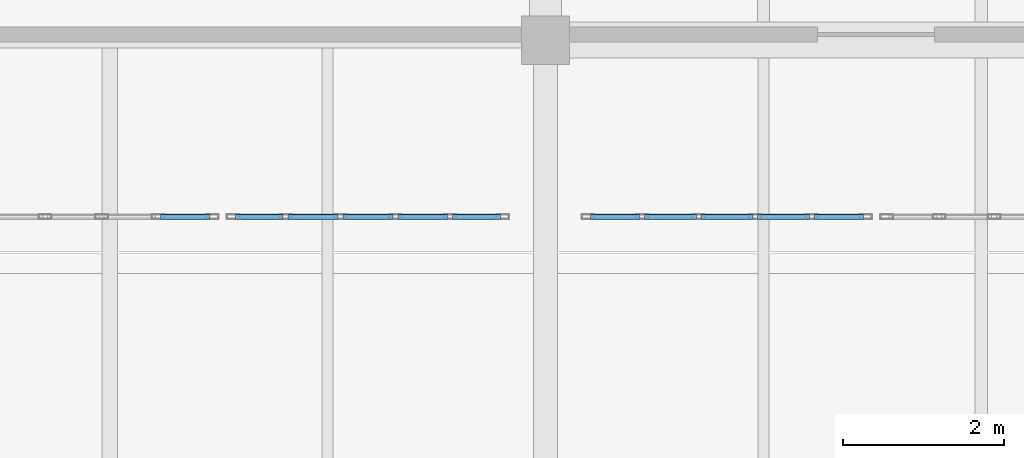
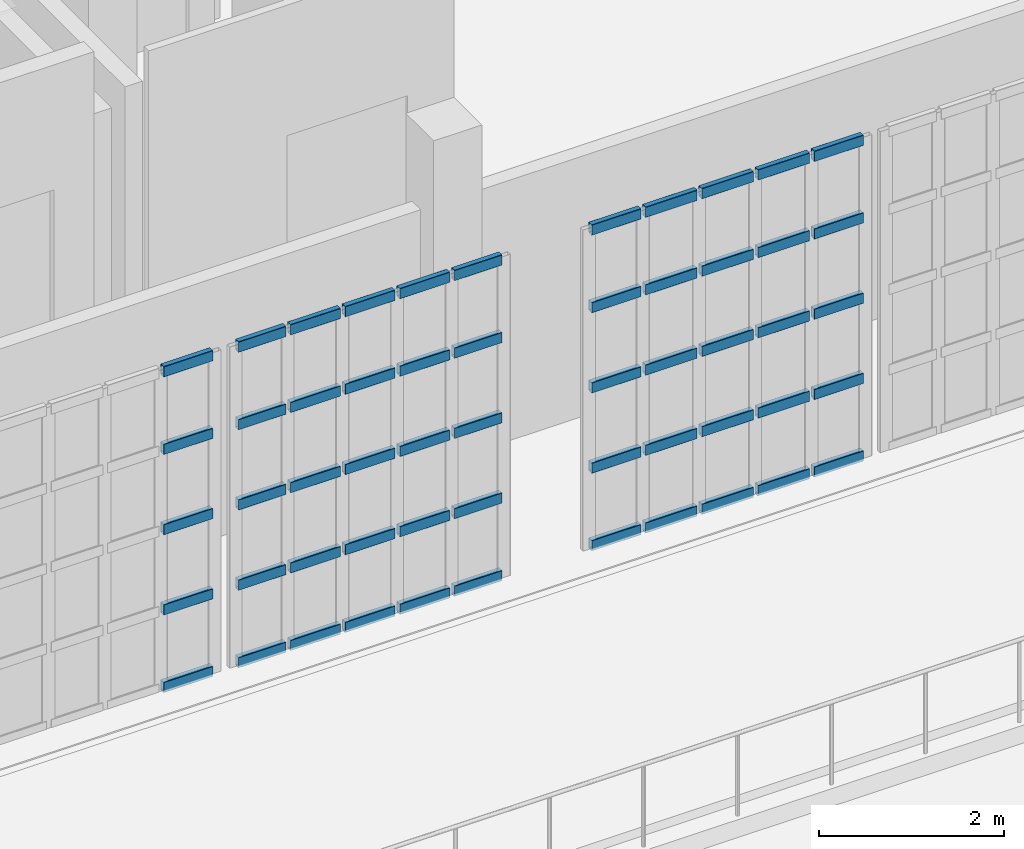
# One storey, part 31 of 56: 55 members, 3 elements without a shape of their own.
"""IFC4 building model written with IfcOpenShell, lengths in metres."""

from ifc_helpers import new_model, si_unit, direction, frame, origin, origin_2d, place, context, subcontext, project, spatial, hollow_rectangle, extrude, material, material_profile, profile_set, type_object, element, aggregate, save


model = new_model("IFC4")

# Units and contexts
model_context = context("Model", 3, precision=1e-05, world=origin(), true_north=direction((0.0, 1.0)))
body_context = subcontext(model_context, "Body", "Model", "MODEL_VIEW")
ifc_project = project(units=[si_unit("LENGTHUNIT", "METRE"), si_unit("AREAUNIT", "SQUARE_METRE"), si_unit("VOLUMEUNIT", "CUBIC_METRE"), si_unit("PLANEANGLEUNIT", "RADIAN"), si_unit("MASSUNIT", "GRAM", prefix="KILO")], contexts=[model_context])

# Site, building, storey
site_placement = place(None, origin())
site = spatial("IfcSite", under=ifc_project, at=site_placement, CompositionType="ELEMENT")
building_placement = place(site_placement, origin())
building = spatial("IfcBuilding", under=site, at=building_placement, Name="Kaelora Sail Theatre", CompositionType="ELEMENT")
storey_placement = place(building_placement, frame((0.0, 0.0, 14.699951171875)))
storey = spatial("IfcBuildingStorey", under=building, at=storey_placement, Name="L03", CompositionType="ELEMENT", Elevation=14.699951171875)

# Curtain wall, members
ifc_material_1 = material(Name="Anodised aluminium and solar-control low-E IGU", Category="aluminium")
curtain_wall_type = type_object("IfcCurtainWallType", Name="ARC-CW-CW-NWG", PredefinedType="NOTDEFINED", material=ifc_material_1)
curtain_wall_1_placement = place(storey_placement, origin())
curtain_wall_1 = element("IfcCurtainWall", 1, at=curtain_wall_1_placement, inside=storey, type_object=curtain_wall_type, Name="Glazed Foyer/Conservatory Curtain Wall NW4-S-L03-02", PredefinedType="NOTDEFINED")
ifc_material_2 = material(Name="Anodised aluminium 6063-T6", Category="aluminium")
ifc_material_profile = material_profile(ifc_material_2, hollow_rectangle(XDim=0.070068359375, YDim=0.139892578125, WallThickness=0.00390625, InnerFilletRadius=0.00390625, OuterFilletRadius=0.008056640625, at=origin_2d()), Name="ALU-TRAN 70x140x4")
ifc_profile_set = profile_set([ifc_material_profile], Name="Anodised aluminium 6063-T6")
member_type = type_object("IfcMemberType", Name="ARC-MEM-TR-140", PredefinedType="USERDEFINED", material=ifc_profile_set)
member_1_placement = place(storey_placement, frame((110.1298828125, 88.590087890625, 0.03515625), z_axis=(1.0, 0.0, 0.0), x_axis=(0.0, 1.0, 0.0)))
member_1 = element("IfcMember", 2, at=member_1_placement, type_object=member_type, Name="CW-NWG transom 5.1", ObjectType="TRANSOM", PredefinedType="USERDEFINED", context=body_context, shape_type="SweptSolid", body=[
    extrude(hollow_rectangle(XDim=0.070068359375, YDim=0.139892578125, WallThickness=0.00390625, InnerFilletRadius=0.00390625, OuterFilletRadius=0.008056640625, at=origin_2d()), origin(), (0.0, 0.0, 1.0), 0.610107421875),
])
member_2_placement = place(storey_placement, frame((110.1298828125, 88.590087890625, 1.05615234375), z_axis=(1.0, 0.0, 0.0), x_axis=(0.0, 1.0, 0.0)))
member_2 = element("IfcMember", 3, at=member_2_placement, type_object=member_type, Name="CW-NWG transom 5.2", ObjectType="TRANSOM", PredefinedType="USERDEFINED", context=body_context, shape_type="SweptSolid", body=[
    extrude(hollow_rectangle(XDim=0.070068359375, YDim=0.139892578125, WallThickness=0.00390625, InnerFilletRadius=0.00390625, OuterFilletRadius=0.008056640625, at=origin_2d()), origin(), (0.0, 0.0, 1.0), 0.610107421875),
])
member_3_placement = place(storey_placement, frame((110.1298828125, 88.590087890625, 2.112548828125), z_axis=(1.0, 0.0, 0.0), x_axis=(0.0, 1.0, 0.0)))
member_3 = element("IfcMember", 4, at=member_3_placement, type_object=member_type, Name="CW-NWG transom 5.3", ObjectType="TRANSOM", PredefinedType="USERDEFINED", context=body_context, shape_type="SweptSolid", body=[
    extrude(hollow_rectangle(XDim=0.070068359375, YDim=0.139892578125, WallThickness=0.00390625, InnerFilletRadius=0.00390625, OuterFilletRadius=0.008056640625, at=origin_2d()), origin(), (0.0, 0.0, 1.0), 0.610107421875),
])
member_4_placement = place(storey_placement, frame((110.1298828125, 88.590087890625, 3.168701171875), z_axis=(1.0, 0.0, 0.0), x_axis=(0.0, 1.0, 0.0)))
member_4 = element("IfcMember", 5, at=member_4_placement, type_object=member_type, Name="CW-NWG transom 5.4", ObjectType="TRANSOM", PredefinedType="USERDEFINED", context=body_context, shape_type="SweptSolid", body=[
    extrude(hollow_rectangle(XDim=0.070068359375, YDim=0.139892578125, WallThickness=0.00390625, InnerFilletRadius=0.00390625, OuterFilletRadius=0.008056640625, at=origin_2d()), origin(), (0.0, 0.0, 1.0), 0.610107421875),
])
member_5_placement = place(storey_placement, frame((110.1298828125, 88.590087890625, 4.18994140625), z_axis=(1.0, 0.0, 0.0), x_axis=(0.0, 1.0, 0.0)))
member_5 = element("IfcMember", 6, at=member_5_placement, type_object=member_type, Name="CW-NWG transom 5.5", ObjectType="TRANSOM", PredefinedType="USERDEFINED", context=body_context, shape_type="SweptSolid", body=[
    extrude(hollow_rectangle(XDim=0.070068359375, YDim=0.139892578125, WallThickness=0.00390625, InnerFilletRadius=0.00390625, OuterFilletRadius=0.008056640625, at=origin_2d()), origin(), (0.0, 0.0, 1.0), 0.610107421875),
])
aggregate(curtain_wall_1, [member_1, member_2, member_3, member_4, member_5])

curtain_wall_2_placement = place(storey_placement, origin())
curtain_wall_2 = element("IfcCurtainWall", 7, at=curtain_wall_2_placement, inside=storey, type_object=curtain_wall_type, Name="Glazed Foyer/Conservatory Curtain Wall NW4-S-L03-03", PredefinedType="NOTDEFINED")
member_6_placement = place(storey_placement, frame((111.06005859375, 88.590087890625, 0.03515625), z_axis=(1.0, 0.0, 0.0), x_axis=(0.0, 1.0, 0.0)))
member_6 = element("IfcMember", 8, at=member_6_placement, type_object=member_type, Name="CW-NWG transom 1.1", ObjectType="TRANSOM", PredefinedType="USERDEFINED", context=body_context, shape_type="SweptSolid", body=[
    extrude(hollow_rectangle(XDim=0.070068359375, YDim=0.139892578125, WallThickness=0.00390625, InnerFilletRadius=0.00390625, OuterFilletRadius=0.008056640625, at=origin_2d()), origin(), (0.0, 0.0, 1.0), 0.58984375),
])
member_7_placement = place(storey_placement, frame((111.06005859375, 88.590087890625, 1.05615234375), z_axis=(1.0, 0.0, 0.0), x_axis=(0.0, 1.0, 0.0)))
member_7 = element("IfcMember", 9, at=member_7_placement, type_object=member_type, Name="CW-NWG transom 1.2", ObjectType="TRANSOM", PredefinedType="USERDEFINED", context=body_context, shape_type="SweptSolid", body=[
    extrude(hollow_rectangle(XDim=0.070068359375, YDim=0.139892578125, WallThickness=0.00390625, InnerFilletRadius=0.00390625, OuterFilletRadius=0.008056640625, at=origin_2d()), origin(), (0.0, 0.0, 1.0), 0.58984375),
])
member_8_placement = place(storey_placement, frame((111.06005859375, 88.590087890625, 2.112548828125), z_axis=(1.0, 0.0, 0.0), x_axis=(0.0, 1.0, 0.0)))
member_8 = element("IfcMember", 10, at=member_8_placement, type_object=member_type, Name="CW-NWG transom 1.3", ObjectType="TRANSOM", PredefinedType="USERDEFINED", context=body_context, shape_type="SweptSolid", body=[
    extrude(hollow_rectangle(XDim=0.070068359375, YDim=0.139892578125, WallThickness=0.00390625, InnerFilletRadius=0.00390625, OuterFilletRadius=0.008056640625, at=origin_2d()), origin(), (0.0, 0.0, 1.0), 0.58984375),
])
member_9_placement = place(storey_placement, frame((111.06005859375, 88.590087890625, 3.168701171875), z_axis=(1.0, 0.0, 0.0), x_axis=(0.0, 1.0, 0.0)))
member_9 = element("IfcMember", 11, at=member_9_placement, type_object=member_type, Name="CW-NWG transom 1.4", ObjectType="TRANSOM", PredefinedType="USERDEFINED", context=body_context, shape_type="SweptSolid", body=[
    extrude(hollow_rectangle(XDim=0.070068359375, YDim=0.139892578125, WallThickness=0.00390625, InnerFilletRadius=0.00390625, OuterFilletRadius=0.008056640625, at=origin_2d()), origin(), (0.0, 0.0, 1.0), 0.58984375),
])
member_10_placement = place(storey_placement, frame((111.06005859375, 88.590087890625, 4.18994140625), z_axis=(1.0, 0.0, 0.0), x_axis=(0.0, 1.0, 0.0)))
member_10 = element("IfcMember", 12, at=member_10_placement, type_object=member_type, Name="CW-NWG transom 1.5", ObjectType="TRANSOM", PredefinedType="USERDEFINED", context=body_context, shape_type="SweptSolid", body=[
    extrude(hollow_rectangle(XDim=0.070068359375, YDim=0.139892578125, WallThickness=0.00390625, InnerFilletRadius=0.00390625, OuterFilletRadius=0.008056640625, at=origin_2d()), origin(), (0.0, 0.0, 1.0), 0.58984375),
])
member_11_placement = place(storey_placement, frame((111.7099609375, 88.590087890625, 0.03515625), z_axis=(1.0, 0.0, 0.0), x_axis=(0.0, 1.0, 0.0)))
member_11 = element("IfcMember", 13, at=member_11_placement, type_object=member_type, Name="CW-NWG transom 2.1", ObjectType="TRANSOM", PredefinedType="USERDEFINED", context=body_context, shape_type="SweptSolid", body=[
    extrude(hollow_rectangle(XDim=0.070068359375, YDim=0.139892578125, WallThickness=0.00390625, InnerFilletRadius=0.00390625, OuterFilletRadius=0.008056640625, at=origin_2d()), origin(), (0.0, 0.0, 1.0), 0.6201171875),
])
member_12_placement = place(storey_placement, frame((111.7099609375, 88.590087890625, 1.05615234375), z_axis=(1.0, 0.0, 0.0), x_axis=(0.0, 1.0, 0.0)))
member_12 = element("IfcMember", 14, at=member_12_placement, type_object=member_type, Name="CW-NWG transom 2.2", ObjectType="TRANSOM", PredefinedType="USERDEFINED", context=body_context, shape_type="SweptSolid", body=[
    extrude(hollow_rectangle(XDim=0.070068359375, YDim=0.139892578125, WallThickness=0.00390625, InnerFilletRadius=0.00390625, OuterFilletRadius=0.008056640625, at=origin_2d()), origin(), (0.0, 0.0, 1.0), 0.6201171875),
])
member_13_placement = place(storey_placement, frame((111.7099609375, 88.590087890625, 2.112548828125), z_axis=(1.0, 0.0, 0.0), x_axis=(0.0, 1.0, 0.0)))
member_13 = element("IfcMember", 15, at=member_13_placement, type_object=member_type, Name="CW-NWG transom 2.3", ObjectType="TRANSOM", PredefinedType="USERDEFINED", context=body_context, shape_type="SweptSolid", body=[
    extrude(hollow_rectangle(XDim=0.070068359375, YDim=0.139892578125, WallThickness=0.00390625, InnerFilletRadius=0.00390625, OuterFilletRadius=0.008056640625, at=origin_2d()), origin(), (0.0, 0.0, 1.0), 0.6201171875),
])
member_14_placement = place(storey_placement, frame((111.7099609375, 88.590087890625, 3.168701171875), z_axis=(1.0, 0.0, 0.0), x_axis=(0.0, 1.0, 0.0)))
member_14 = element("IfcMember", 16, at=member_14_placement, type_object=member_type, Name="CW-NWG transom 2.4", ObjectType="TRANSOM", PredefinedType="USERDEFINED", context=body_context, shape_type="SweptSolid", body=[
    extrude(hollow_rectangle(XDim=0.070068359375, YDim=0.139892578125, WallThickness=0.00390625, InnerFilletRadius=0.00390625, OuterFilletRadius=0.008056640625, at=origin_2d()), origin(), (0.0, 0.0, 1.0), 0.6201171875),
])
member_15_placement = place(storey_placement, frame((111.7099609375, 88.590087890625, 4.18994140625), z_axis=(1.0, 0.0, 0.0), x_axis=(0.0, 1.0, 0.0)))
member_15 = element("IfcMember", 17, at=member_15_placement, type_object=member_type, Name="CW-NWG transom 2.5", ObjectType="TRANSOM", PredefinedType="USERDEFINED", context=body_context, shape_type="SweptSolid", body=[
    extrude(hollow_rectangle(XDim=0.070068359375, YDim=0.139892578125, WallThickness=0.00390625, InnerFilletRadius=0.00390625, OuterFilletRadius=0.008056640625, at=origin_2d()), origin(), (0.0, 0.0, 1.0), 0.6201171875),
])
member_16_placement = place(storey_placement, frame((112.389892578125, 88.590087890625, 0.03515625), z_axis=(1.0, 0.0, 0.0), x_axis=(0.0, 1.0, 0.0)))
member_16 = element("IfcMember", 18, at=member_16_placement, type_object=member_type, Name="CW-NWG transom 3.1", ObjectType="TRANSOM", PredefinedType="USERDEFINED", context=body_context, shape_type="SweptSolid", body=[
    extrude(hollow_rectangle(XDim=0.070068359375, YDim=0.139892578125, WallThickness=0.00390625, InnerFilletRadius=0.00390625, OuterFilletRadius=0.008056640625, at=origin_2d()), origin(), (0.0, 0.0, 1.0), 0.6201171875),
])
member_17_placement = place(storey_placement, frame((112.389892578125, 88.590087890625, 1.05615234375), z_axis=(1.0, 0.0, 0.0), x_axis=(0.0, 1.0, 0.0)))
member_17 = element("IfcMember", 19, at=member_17_placement, type_object=member_type, Name="CW-NWG transom 3.2", ObjectType="TRANSOM", PredefinedType="USERDEFINED", context=body_context, shape_type="SweptSolid", body=[
    extrude(hollow_rectangle(XDim=0.070068359375, YDim=0.139892578125, WallThickness=0.00390625, InnerFilletRadius=0.00390625, OuterFilletRadius=0.008056640625, at=origin_2d()), origin(), (0.0, 0.0, 1.0), 0.6201171875),
])
member_18_placement = place(storey_placement, frame((112.389892578125, 88.590087890625, 2.112548828125), z_axis=(1.0, 0.0, 0.0), x_axis=(0.0, 1.0, 0.0)))
member_18 = element("IfcMember", 20, at=member_18_placement, type_object=member_type, Name="CW-NWG transom 3.3", ObjectType="TRANSOM", PredefinedType="USERDEFINED", context=body_context, shape_type="SweptSolid", body=[
    extrude(hollow_rectangle(XDim=0.070068359375, YDim=0.139892578125, WallThickness=0.00390625, InnerFilletRadius=0.00390625, OuterFilletRadius=0.008056640625, at=origin_2d()), origin(), (0.0, 0.0, 1.0), 0.6201171875),
])
member_19_placement = place(storey_placement, frame((112.389892578125, 88.590087890625, 3.168701171875), z_axis=(1.0, 0.0, 0.0), x_axis=(0.0, 1.0, 0.0)))
member_19 = element("IfcMember", 21, at=member_19_placement, type_object=member_type, Name="CW-NWG transom 3.4", ObjectType="TRANSOM", PredefinedType="USERDEFINED", context=body_context, shape_type="SweptSolid", body=[
    extrude(hollow_rectangle(XDim=0.070068359375, YDim=0.139892578125, WallThickness=0.00390625, InnerFilletRadius=0.00390625, OuterFilletRadius=0.008056640625, at=origin_2d()), origin(), (0.0, 0.0, 1.0), 0.6201171875),
])
member_20_placement = place(storey_placement, frame((112.389892578125, 88.590087890625, 4.18994140625), z_axis=(1.0, 0.0, 0.0), x_axis=(0.0, 1.0, 0.0)))
member_20 = element("IfcMember", 22, at=member_20_placement, type_object=member_type, Name="CW-NWG transom 3.5", ObjectType="TRANSOM", PredefinedType="USERDEFINED", context=body_context, shape_type="SweptSolid", body=[
    extrude(hollow_rectangle(XDim=0.070068359375, YDim=0.139892578125, WallThickness=0.00390625, InnerFilletRadius=0.00390625, OuterFilletRadius=0.008056640625, at=origin_2d()), origin(), (0.0, 0.0, 1.0), 0.6201171875),
])
member_21_placement = place(storey_placement, frame((113.070068359375, 88.590087890625, 0.03515625), z_axis=(1.0, 0.0, 0.0), x_axis=(0.0, 1.0, 0.0)))
member_21 = element("IfcMember", 23, at=member_21_placement, type_object=member_type, Name="CW-NWG transom 4.1", ObjectType="TRANSOM", PredefinedType="USERDEFINED", context=body_context, shape_type="SweptSolid", body=[
    extrude(hollow_rectangle(XDim=0.070068359375, YDim=0.139892578125, WallThickness=0.00390625, InnerFilletRadius=0.00390625, OuterFilletRadius=0.008056640625, at=origin_2d()), origin(), (0.0, 0.0, 1.0), 0.619873046875),
])
member_22_placement = place(storey_placement, frame((113.070068359375, 88.590087890625, 1.05615234375), z_axis=(1.0, 0.0, 0.0), x_axis=(0.0, 1.0, 0.0)))
member_22 = element("IfcMember", 24, at=member_22_placement, type_object=member_type, Name="CW-NWG transom 4.2", ObjectType="TRANSOM", PredefinedType="USERDEFINED", context=body_context, shape_type="SweptSolid", body=[
    extrude(hollow_rectangle(XDim=0.070068359375, YDim=0.139892578125, WallThickness=0.00390625, InnerFilletRadius=0.00390625, OuterFilletRadius=0.008056640625, at=origin_2d()), origin(), (0.0, 0.0, 1.0), 0.619873046875),
])
member_23_placement = place(storey_placement, frame((113.070068359375, 88.590087890625, 2.112548828125), z_axis=(1.0, 0.0, 0.0), x_axis=(0.0, 1.0, 0.0)))
member_23 = element("IfcMember", 25, at=member_23_placement, type_object=member_type, Name="CW-NWG transom 4.3", ObjectType="TRANSOM", PredefinedType="USERDEFINED", context=body_context, shape_type="SweptSolid", body=[
    extrude(hollow_rectangle(XDim=0.070068359375, YDim=0.139892578125, WallThickness=0.00390625, InnerFilletRadius=0.00390625, OuterFilletRadius=0.008056640625, at=origin_2d()), origin(), (0.0, 0.0, 1.0), 0.619873046875),
])
member_24_placement = place(storey_placement, frame((113.070068359375, 88.590087890625, 3.168701171875), z_axis=(1.0, 0.0, 0.0), x_axis=(0.0, 1.0, 0.0)))
member_24 = element("IfcMember", 26, at=member_24_placement, type_object=member_type, Name="CW-NWG transom 4.4", ObjectType="TRANSOM", PredefinedType="USERDEFINED", context=body_context, shape_type="SweptSolid", body=[
    extrude(hollow_rectangle(XDim=0.070068359375, YDim=0.139892578125, WallThickness=0.00390625, InnerFilletRadius=0.00390625, OuterFilletRadius=0.008056640625, at=origin_2d()), origin(), (0.0, 0.0, 1.0), 0.619873046875),
])
member_25_placement = place(storey_placement, frame((113.070068359375, 88.590087890625, 4.18994140625), z_axis=(1.0, 0.0, 0.0), x_axis=(0.0, 1.0, 0.0)))
member_25 = element("IfcMember", 27, at=member_25_placement, type_object=member_type, Name="CW-NWG transom 4.5", ObjectType="TRANSOM", PredefinedType="USERDEFINED", context=body_context, shape_type="SweptSolid", body=[
    extrude(hollow_rectangle(XDim=0.070068359375, YDim=0.139892578125, WallThickness=0.00390625, InnerFilletRadius=0.00390625, OuterFilletRadius=0.008056640625, at=origin_2d()), origin(), (0.0, 0.0, 1.0), 0.619873046875),
])
member_26_placement = place(storey_placement, frame((113.75, 88.590087890625, 0.03515625), z_axis=(1.0, 0.0, 0.0), x_axis=(0.0, 1.0, 0.0)))
member_26 = element("IfcMember", 28, at=member_26_placement, type_object=member_type, Name="CW-NWG transom 5.1", ObjectType="TRANSOM", PredefinedType="USERDEFINED", context=body_context, shape_type="SweptSolid", body=[
    extrude(hollow_rectangle(XDim=0.070068359375, YDim=0.139892578125, WallThickness=0.00390625, InnerFilletRadius=0.00390625, OuterFilletRadius=0.008056640625, at=origin_2d()), origin(), (0.0, 0.0, 1.0), 0.590087890625),
])
member_27_placement = place(storey_placement, frame((113.75, 88.590087890625, 1.05615234375), z_axis=(1.0, 0.0, 0.0), x_axis=(0.0, 1.0, 0.0)))
member_27 = element("IfcMember", 29, at=member_27_placement, type_object=member_type, Name="CW-NWG transom 5.2", ObjectType="TRANSOM", PredefinedType="USERDEFINED", context=body_context, shape_type="SweptSolid", body=[
    extrude(hollow_rectangle(XDim=0.070068359375, YDim=0.139892578125, WallThickness=0.00390625, InnerFilletRadius=0.00390625, OuterFilletRadius=0.008056640625, at=origin_2d()), origin(), (0.0, 0.0, 1.0), 0.590087890625),
])
member_28_placement = place(storey_placement, frame((113.75, 88.590087890625, 2.112548828125), z_axis=(1.0, 0.0, 0.0), x_axis=(0.0, 1.0, 0.0)))
member_28 = element("IfcMember", 30, at=member_28_placement, type_object=member_type, Name="CW-NWG transom 5.3", ObjectType="TRANSOM", PredefinedType="USERDEFINED", context=body_context, shape_type="SweptSolid", body=[
    extrude(hollow_rectangle(XDim=0.070068359375, YDim=0.139892578125, WallThickness=0.00390625, InnerFilletRadius=0.00390625, OuterFilletRadius=0.008056640625, at=origin_2d()), origin(), (0.0, 0.0, 1.0), 0.590087890625),
])
member_29_placement = place(storey_placement, frame((113.75, 88.590087890625, 3.168701171875), z_axis=(1.0, 0.0, 0.0), x_axis=(0.0, 1.0, 0.0)))
member_29 = element("IfcMember", 31, at=member_29_placement, type_object=member_type, Name="CW-NWG transom 5.4", ObjectType="TRANSOM", PredefinedType="USERDEFINED", context=body_context, shape_type="SweptSolid", body=[
    extrude(hollow_rectangle(XDim=0.070068359375, YDim=0.139892578125, WallThickness=0.00390625, InnerFilletRadius=0.00390625, OuterFilletRadius=0.008056640625, at=origin_2d()), origin(), (0.0, 0.0, 1.0), 0.590087890625),
])
member_30_placement = place(storey_placement, frame((113.75, 88.590087890625, 4.18994140625), z_axis=(1.0, 0.0, 0.0), x_axis=(0.0, 1.0, 0.0)))
member_30 = element("IfcMember", 32, at=member_30_placement, type_object=member_type, Name="CW-NWG transom 5.5", ObjectType="TRANSOM", PredefinedType="USERDEFINED", context=body_context, shape_type="SweptSolid", body=[
    extrude(hollow_rectangle(XDim=0.070068359375, YDim=0.139892578125, WallThickness=0.00390625, InnerFilletRadius=0.00390625, OuterFilletRadius=0.008056640625, at=origin_2d()), origin(), (0.0, 0.0, 1.0), 0.590087890625),
])
aggregate(curtain_wall_2, [member_6, member_7, member_8, member_9, member_10, member_11, member_12, member_13, member_14, member_15, member_16, member_17, member_18, member_19, member_20, member_21, member_22, member_23, member_24, member_25, member_26, member_27, member_28, member_29, member_30])

curtain_wall_3_placement = place(storey_placement, origin())
curtain_wall_3 = element("IfcCurtainWall", 33, at=curtain_wall_3_placement, inside=storey, type_object=curtain_wall_type, Name="Glazed Foyer/Conservatory Curtain Wall NW4-S-L03-04", PredefinedType="NOTDEFINED")
member_31_placement = place(storey_placement, frame((115.4599609375, 88.590087890625, 0.03515625), z_axis=(1.0, 0.0, 0.0), x_axis=(0.0, 1.0, 0.0)))
member_31 = element("IfcMember", 34, at=member_31_placement, type_object=member_type, Name="CW-NWG transom 1.1", ObjectType="TRANSOM", PredefinedType="USERDEFINED", context=body_context, shape_type="SweptSolid", body=[
    extrude(hollow_rectangle(XDim=0.070068359375, YDim=0.139892578125, WallThickness=0.00390625, InnerFilletRadius=0.00390625, OuterFilletRadius=0.008056640625, at=origin_2d()), origin(), (0.0, 0.0, 1.0), 0.610107421875),
])
member_32_placement = place(storey_placement, frame((115.4599609375, 88.590087890625, 1.05615234375), z_axis=(1.0, 0.0, 0.0), x_axis=(0.0, 1.0, 0.0)))
member_32 = element("IfcMember", 35, at=member_32_placement, type_object=member_type, Name="CW-NWG transom 1.2", ObjectType="TRANSOM", PredefinedType="USERDEFINED", context=body_context, shape_type="SweptSolid", body=[
    extrude(hollow_rectangle(XDim=0.070068359375, YDim=0.139892578125, WallThickness=0.00390625, InnerFilletRadius=0.00390625, OuterFilletRadius=0.008056640625, at=origin_2d()), origin(), (0.0, 0.0, 1.0), 0.610107421875),
])
member_33_placement = place(storey_placement, frame((115.4599609375, 88.590087890625, 2.112548828125), z_axis=(1.0, 0.0, 0.0), x_axis=(0.0, 1.0, 0.0)))
member_33 = element("IfcMember", 36, at=member_33_placement, type_object=member_type, Name="CW-NWG transom 1.3", ObjectType="TRANSOM", PredefinedType="USERDEFINED", context=body_context, shape_type="SweptSolid", body=[
    extrude(hollow_rectangle(XDim=0.070068359375, YDim=0.139892578125, WallThickness=0.00390625, InnerFilletRadius=0.00390625, OuterFilletRadius=0.008056640625, at=origin_2d()), origin(), (0.0, 0.0, 1.0), 0.610107421875),
])
member_34_placement = place(storey_placement, frame((115.4599609375, 88.590087890625, 3.168701171875), z_axis=(1.0, 0.0, 0.0), x_axis=(0.0, 1.0, 0.0)))
member_34 = element("IfcMember", 37, at=member_34_placement, type_object=member_type, Name="CW-NWG transom 1.4", ObjectType="TRANSOM", PredefinedType="USERDEFINED", context=body_context, shape_type="SweptSolid", body=[
    extrude(hollow_rectangle(XDim=0.070068359375, YDim=0.139892578125, WallThickness=0.00390625, InnerFilletRadius=0.00390625, OuterFilletRadius=0.008056640625, at=origin_2d()), origin(), (0.0, 0.0, 1.0), 0.610107421875),
])
member_35_placement = place(storey_placement, frame((115.4599609375, 88.590087890625, 4.18994140625), z_axis=(1.0, 0.0, 0.0), x_axis=(0.0, 1.0, 0.0)))
member_35 = element("IfcMember", 38, at=member_35_placement, type_object=member_type, Name="CW-NWG transom 1.5", ObjectType="TRANSOM", PredefinedType="USERDEFINED", context=body_context, shape_type="SweptSolid", body=[
    extrude(hollow_rectangle(XDim=0.070068359375, YDim=0.139892578125, WallThickness=0.00390625, InnerFilletRadius=0.00390625, OuterFilletRadius=0.008056640625, at=origin_2d()), origin(), (0.0, 0.0, 1.0), 0.610107421875),
])
member_36_placement = place(storey_placement, frame((116.1298828125, 88.590087890625, 0.03515625), z_axis=(1.0, 0.0, 0.0), x_axis=(0.0, 1.0, 0.0)))
member_36 = element("IfcMember", 39, at=member_36_placement, type_object=member_type, Name="CW-NWG transom 2.1", ObjectType="TRANSOM", PredefinedType="USERDEFINED", context=body_context, shape_type="SweptSolid", body=[
    extrude(hollow_rectangle(XDim=0.070068359375, YDim=0.139892578125, WallThickness=0.00390625, InnerFilletRadius=0.00390625, OuterFilletRadius=0.008056640625, at=origin_2d()), origin(), (0.0, 0.0, 1.0), 0.64013671875),
])
member_37_placement = place(storey_placement, frame((116.1298828125, 88.590087890625, 1.05615234375), z_axis=(1.0, 0.0, 0.0), x_axis=(0.0, 1.0, 0.0)))
member_37 = element("IfcMember", 40, at=member_37_placement, type_object=member_type, Name="CW-NWG transom 2.2", ObjectType="TRANSOM", PredefinedType="USERDEFINED", context=body_context, shape_type="SweptSolid", body=[
    extrude(hollow_rectangle(XDim=0.070068359375, YDim=0.139892578125, WallThickness=0.00390625, InnerFilletRadius=0.00390625, OuterFilletRadius=0.008056640625, at=origin_2d()), origin(), (0.0, 0.0, 1.0), 0.64013671875),
])
member_38_placement = place(storey_placement, frame((116.1298828125, 88.590087890625, 2.112548828125), z_axis=(1.0, 0.0, 0.0), x_axis=(0.0, 1.0, 0.0)))
member_38 = element("IfcMember", 41, at=member_38_placement, type_object=member_type, Name="CW-NWG transom 2.3", ObjectType="TRANSOM", PredefinedType="USERDEFINED", context=body_context, shape_type="SweptSolid", body=[
    extrude(hollow_rectangle(XDim=0.070068359375, YDim=0.139892578125, WallThickness=0.00390625, InnerFilletRadius=0.00390625, OuterFilletRadius=0.008056640625, at=origin_2d()), origin(), (0.0, 0.0, 1.0), 0.64013671875),
])
member_39_placement = place(storey_placement, frame((116.1298828125, 88.590087890625, 3.168701171875), z_axis=(1.0, 0.0, 0.0), x_axis=(0.0, 1.0, 0.0)))
member_39 = element("IfcMember", 42, at=member_39_placement, type_object=member_type, Name="CW-NWG transom 2.4", ObjectType="TRANSOM", PredefinedType="USERDEFINED", context=body_context, shape_type="SweptSolid", body=[
    extrude(hollow_rectangle(XDim=0.070068359375, YDim=0.139892578125, WallThickness=0.00390625, InnerFilletRadius=0.00390625, OuterFilletRadius=0.008056640625, at=origin_2d()), origin(), (0.0, 0.0, 1.0), 0.64013671875),
])
member_40_placement = place(storey_placement, frame((116.1298828125, 88.590087890625, 4.18994140625), z_axis=(1.0, 0.0, 0.0), x_axis=(0.0, 1.0, 0.0)))
member_40 = element("IfcMember", 43, at=member_40_placement, type_object=member_type, Name="CW-NWG transom 2.5", ObjectType="TRANSOM", PredefinedType="USERDEFINED", context=body_context, shape_type="SweptSolid", body=[
    extrude(hollow_rectangle(XDim=0.070068359375, YDim=0.139892578125, WallThickness=0.00390625, InnerFilletRadius=0.00390625, OuterFilletRadius=0.008056640625, at=origin_2d()), origin(), (0.0, 0.0, 1.0), 0.64013671875),
])
member_41_placement = place(storey_placement, frame((116.830078125, 88.590087890625, 0.03515625), z_axis=(1.0, 0.0, 0.0), x_axis=(0.0, 1.0, 0.0)))
member_41 = element("IfcMember", 44, at=member_41_placement, type_object=member_type, Name="CW-NWG transom 3.1", ObjectType="TRANSOM", PredefinedType="USERDEFINED", context=body_context, shape_type="SweptSolid", body=[
    extrude(hollow_rectangle(XDim=0.070068359375, YDim=0.139892578125, WallThickness=0.00390625, InnerFilletRadius=0.00390625, OuterFilletRadius=0.008056640625, at=origin_2d()), origin(), (0.0, 0.0, 1.0), 0.639892578125),
])
member_42_placement = place(storey_placement, frame((116.830078125, 88.590087890625, 1.05615234375), z_axis=(1.0, 0.0, 0.0), x_axis=(0.0, 1.0, 0.0)))
member_42 = element("IfcMember", 45, at=member_42_placement, type_object=member_type, Name="CW-NWG transom 3.2", ObjectType="TRANSOM", PredefinedType="USERDEFINED", context=body_context, shape_type="SweptSolid", body=[
    extrude(hollow_rectangle(XDim=0.070068359375, YDim=0.139892578125, WallThickness=0.00390625, InnerFilletRadius=0.00390625, OuterFilletRadius=0.008056640625, at=origin_2d()), origin(), (0.0, 0.0, 1.0), 0.639892578125),
])
member_43_placement = place(storey_placement, frame((116.830078125, 88.590087890625, 2.112548828125), z_axis=(1.0, 0.0, 0.0), x_axis=(0.0, 1.0, 0.0)))
member_43 = element("IfcMember", 46, at=member_43_placement, type_object=member_type, Name="CW-NWG transom 3.3", ObjectType="TRANSOM", PredefinedType="USERDEFINED", context=body_context, shape_type="SweptSolid", body=[
    extrude(hollow_rectangle(XDim=0.070068359375, YDim=0.139892578125, WallThickness=0.00390625, InnerFilletRadius=0.00390625, OuterFilletRadius=0.008056640625, at=origin_2d()), origin(), (0.0, 0.0, 1.0), 0.639892578125),
])
member_44_placement = place(storey_placement, frame((116.830078125, 88.590087890625, 3.168701171875), z_axis=(1.0, 0.0, 0.0), x_axis=(0.0, 1.0, 0.0)))
member_44 = element("IfcMember", 47, at=member_44_placement, type_object=member_type, Name="CW-NWG transom 3.4", ObjectType="TRANSOM", PredefinedType="USERDEFINED", context=body_context, shape_type="SweptSolid", body=[
    extrude(hollow_rectangle(XDim=0.070068359375, YDim=0.139892578125, WallThickness=0.00390625, InnerFilletRadius=0.00390625, OuterFilletRadius=0.008056640625, at=origin_2d()), origin(), (0.0, 0.0, 1.0), 0.639892578125),
])
member_45_placement = place(storey_placement, frame((116.830078125, 88.590087890625, 4.18994140625), z_axis=(1.0, 0.0, 0.0), x_axis=(0.0, 1.0, 0.0)))
member_45 = element("IfcMember", 48, at=member_45_placement, type_object=member_type, Name="CW-NWG transom 3.5", ObjectType="TRANSOM", PredefinedType="USERDEFINED", context=body_context, shape_type="SweptSolid", body=[
    extrude(hollow_rectangle(XDim=0.070068359375, YDim=0.139892578125, WallThickness=0.00390625, InnerFilletRadius=0.00390625, OuterFilletRadius=0.008056640625, at=origin_2d()), origin(), (0.0, 0.0, 1.0), 0.639892578125),
])
member_46_placement = place(storey_placement, frame((117.530029296875, 88.590087890625, 0.03515625), z_axis=(1.0, 0.0, 0.0), x_axis=(0.0, 1.0, 0.0)))
member_46 = element("IfcMember", 49, at=member_46_placement, type_object=member_type, Name="CW-NWG transom 4.1", ObjectType="TRANSOM", PredefinedType="USERDEFINED", context=body_context, shape_type="SweptSolid", body=[
    extrude(hollow_rectangle(XDim=0.070068359375, YDim=0.139892578125, WallThickness=0.00390625, InnerFilletRadius=0.00390625, OuterFilletRadius=0.008056640625, at=origin_2d()), origin(), (0.0, 0.0, 1.0), 0.639892578125),
])
member_47_placement = place(storey_placement, frame((117.530029296875, 88.590087890625, 1.05615234375), z_axis=(1.0, 0.0, 0.0), x_axis=(0.0, 1.0, 0.0)))
member_47 = element("IfcMember", 50, at=member_47_placement, type_object=member_type, Name="CW-NWG transom 4.2", ObjectType="TRANSOM", PredefinedType="USERDEFINED", context=body_context, shape_type="SweptSolid", body=[
    extrude(hollow_rectangle(XDim=0.070068359375, YDim=0.139892578125, WallThickness=0.00390625, InnerFilletRadius=0.00390625, OuterFilletRadius=0.008056640625, at=origin_2d()), origin(), (0.0, 0.0, 1.0), 0.639892578125),
])
member_48_placement = place(storey_placement, frame((117.530029296875, 88.590087890625, 2.112548828125), z_axis=(1.0, 0.0, 0.0), x_axis=(0.0, 1.0, 0.0)))
member_48 = element("IfcMember", 51, at=member_48_placement, type_object=member_type, Name="CW-NWG transom 4.3", ObjectType="TRANSOM", PredefinedType="USERDEFINED", context=body_context, shape_type="SweptSolid", body=[
    extrude(hollow_rectangle(XDim=0.070068359375, YDim=0.139892578125, WallThickness=0.00390625, InnerFilletRadius=0.00390625, OuterFilletRadius=0.008056640625, at=origin_2d()), origin(), (0.0, 0.0, 1.0), 0.639892578125),
])
member_49_placement = place(storey_placement, frame((117.530029296875, 88.590087890625, 3.168701171875), z_axis=(1.0, 0.0, 0.0), x_axis=(0.0, 1.0, 0.0)))
member_49 = element("IfcMember", 52, at=member_49_placement, type_object=member_type, Name="CW-NWG transom 4.4", ObjectType="TRANSOM", PredefinedType="USERDEFINED", context=body_context, shape_type="SweptSolid", body=[
    extrude(hollow_rectangle(XDim=0.070068359375, YDim=0.139892578125, WallThickness=0.00390625, InnerFilletRadius=0.00390625, OuterFilletRadius=0.008056640625, at=origin_2d()), origin(), (0.0, 0.0, 1.0), 0.639892578125),
])
member_50_placement = place(storey_placement, frame((117.530029296875, 88.590087890625, 4.18994140625), z_axis=(1.0, 0.0, 0.0), x_axis=(0.0, 1.0, 0.0)))
member_50 = element("IfcMember", 53, at=member_50_placement, type_object=member_type, Name="CW-NWG transom 4.5", ObjectType="TRANSOM", PredefinedType="USERDEFINED", context=body_context, shape_type="SweptSolid", body=[
    extrude(hollow_rectangle(XDim=0.070068359375, YDim=0.139892578125, WallThickness=0.00390625, InnerFilletRadius=0.00390625, OuterFilletRadius=0.008056640625, at=origin_2d()), origin(), (0.0, 0.0, 1.0), 0.639892578125),
])
member_51_placement = place(storey_placement, frame((118.22998046875, 88.590087890625, 0.03515625), z_axis=(1.0, 0.0, 0.0), x_axis=(0.0, 1.0, 0.0)))
member_51 = element("IfcMember", 54, at=member_51_placement, type_object=member_type, Name="CW-NWG transom 5.1", ObjectType="TRANSOM", PredefinedType="USERDEFINED", context=body_context, shape_type="SweptSolid", body=[
    extrude(hollow_rectangle(XDim=0.070068359375, YDim=0.139892578125, WallThickness=0.00390625, InnerFilletRadius=0.00390625, OuterFilletRadius=0.008056640625, at=origin_2d()), origin(), (0.0, 0.0, 1.0), 0.610107421875),
])
member_52_placement = place(storey_placement, frame((118.22998046875, 88.590087890625, 1.05615234375), z_axis=(1.0, 0.0, 0.0), x_axis=(0.0, 1.0, 0.0)))
member_52 = element("IfcMember", 55, at=member_52_placement, type_object=member_type, Name="CW-NWG transom 5.2", ObjectType="TRANSOM", PredefinedType="USERDEFINED", context=body_context, shape_type="SweptSolid", body=[
    extrude(hollow_rectangle(XDim=0.070068359375, YDim=0.139892578125, WallThickness=0.00390625, InnerFilletRadius=0.00390625, OuterFilletRadius=0.008056640625, at=origin_2d()), origin(), (0.0, 0.0, 1.0), 0.610107421875),
])
member_53_placement = place(storey_placement, frame((118.22998046875, 88.590087890625, 2.112548828125), z_axis=(1.0, 0.0, 0.0), x_axis=(0.0, 1.0, 0.0)))
member_53 = element("IfcMember", 56, at=member_53_placement, type_object=member_type, Name="CW-NWG transom 5.3", ObjectType="TRANSOM", PredefinedType="USERDEFINED", context=body_context, shape_type="SweptSolid", body=[
    extrude(hollow_rectangle(XDim=0.070068359375, YDim=0.139892578125, WallThickness=0.00390625, InnerFilletRadius=0.00390625, OuterFilletRadius=0.008056640625, at=origin_2d()), origin(), (0.0, 0.0, 1.0), 0.610107421875),
])
member_54_placement = place(storey_placement, frame((118.22998046875, 88.590087890625, 3.168701171875), z_axis=(1.0, 0.0, 0.0), x_axis=(0.0, 1.0, 0.0)))
member_54 = element("IfcMember", 57, at=member_54_placement, type_object=member_type, Name="CW-NWG transom 5.4", ObjectType="TRANSOM", PredefinedType="USERDEFINED", context=body_context, shape_type="SweptSolid", body=[
    extrude(hollow_rectangle(XDim=0.070068359375, YDim=0.139892578125, WallThickness=0.00390625, InnerFilletRadius=0.00390625, OuterFilletRadius=0.008056640625, at=origin_2d()), origin(), (0.0, 0.0, 1.0), 0.610107421875),
])
member_55_placement = place(storey_placement, frame((118.22998046875, 88.590087890625, 4.18994140625), z_axis=(1.0, 0.0, 0.0), x_axis=(0.0, 1.0, 0.0)))
member_55 = element("IfcMember", 58, at=member_55_placement, type_object=member_type, Name="CW-NWG transom 5.5", ObjectType="TRANSOM", PredefinedType="USERDEFINED", context=body_context, shape_type="SweptSolid", body=[
    extrude(hollow_rectangle(XDim=0.070068359375, YDim=0.139892578125, WallThickness=0.00390625, InnerFilletRadius=0.00390625, OuterFilletRadius=0.008056640625, at=origin_2d()), origin(), (0.0, 0.0, 1.0), 0.610107421875),
])
aggregate(curtain_wall_3, [member_31, member_32, member_33, member_34, member_35, member_36, member_37, member_38, member_39, member_40, member_41, member_42, member_43, member_44, member_45, member_46, member_47, member_48, member_49, member_50, member_51, member_52, member_53, member_54, member_55])

save(model, "model.ifc")
